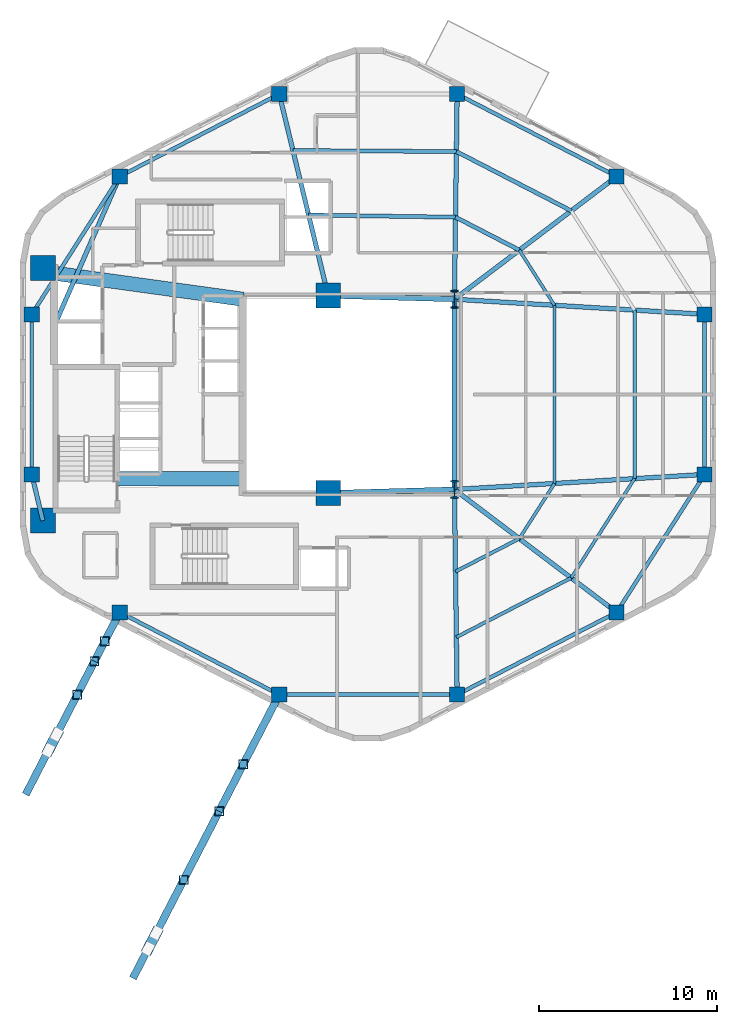
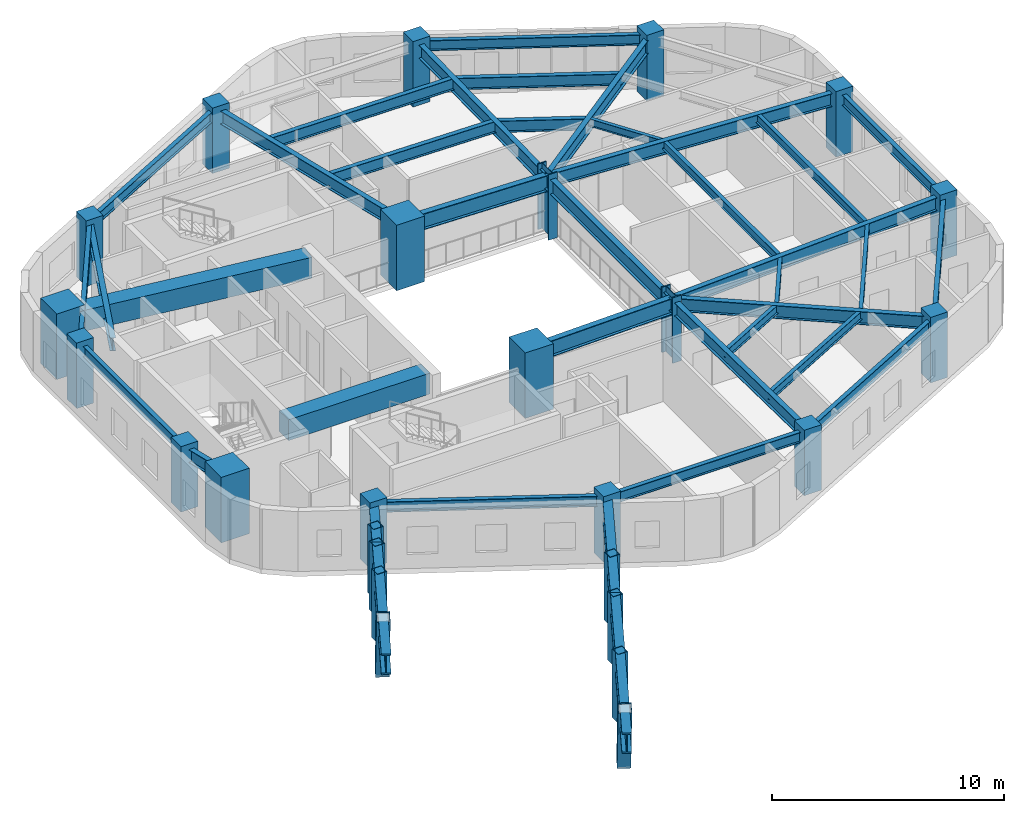
# One storey, part 1 of 11: 38 beams, 18 columns, 8 members.
"""IFC4 building model written with IfcOpenShell, lengths in metres."""

from ifc_helpers import new_model, si_unit, direction, frame, origin, origin_2d, place, context, subcontext, project, spatial, rectangle, hollow_rectangle, i_section, extrude, material, material_profile, profile_set, type_object, element, save


model = new_model("IFC4")

# Units and contexts
model_context = context("Model", 3, precision=1e-05, world=origin(), true_north=direction((0.0, 1.0)))
body_context = subcontext(model_context, "Body", "Model", "MODEL_VIEW")
ifc_project = project(units=[si_unit("LENGTHUNIT", "METRE"), si_unit("AREAUNIT", "SQUARE_METRE"), si_unit("VOLUMEUNIT", "CUBIC_METRE"), si_unit("PLANEANGLEUNIT", "RADIAN"), si_unit("MASSUNIT", "GRAM", prefix="KILO"), si_unit("THERMODYNAMICTEMPERATUREUNIT", "KELVIN"), si_unit("POWERUNIT", "WATT")], contexts=[model_context])

# Site, building, storey
site_placement = place(None, origin())
site = spatial("IfcSite", under=ifc_project, at=site_placement, CompositionType="ELEMENT")
building_placement = place(site_placement, origin())
building = spatial("IfcBuilding", under=site, at=building_placement, Name="Skarre Station Tower", CompositionType="ELEMENT")
storey_placement = place(building_placement, frame((0.0, 0.0, 170.550048828125)))
storey = spatial("IfcBuildingStorey", under=building, at=storey_placement, Name="L46", CompositionType="ELEMENT", Elevation=170.550048828125)

# Columns
ifc_material_1 = material(Name="Concrete C70/85", Category="concrete")
ifc_material_profile_1 = material_profile(ifc_material_1, rectangle(XDim=1.39990234375, YDim=1.39990234375, at=origin_2d()), Name="Concrete C70/85")
ifc_profile_set_1 = profile_set([ifc_material_profile_1], Name="Concrete C70/85")
column_type_1 = type_object("IfcColumnType", Name="RC Structural Column RC-COL-1400X1400", PredefinedType="COLUMN", material=ifc_profile_set_1)
for number, where, z_axis, x_axis, name in (
    (1, (16.300048828125, 16.89990234375, 0.0), (0.0, 0.0, 1.0), (1.0, 0.0, 0.0), "L46 Core Column CC-SW"),
    (2, (16.300048828125, 31.10009765625, 0.0), (0.0, 0.0, 1.0), (1.0, 0.0, 0.0), "L46 Core Column CC-NW"),
    (3, (32.35009765625, 18.449951171875, 0.0), (0.0, 0.0, 1.0), (1.0, 0.0, 0.0), "L46 Core Column CC-SE"),
    (4, (32.35009765625, 29.550048828125, 0.0), (0.0, 0.0, 1.0), (1.0, 0.0, 0.0), "L46 Core Column CC-NE"),
):
    element("IfcColumn", number, at=place(storey_placement, frame(where, z_axis=z_axis, x_axis=x_axis)), inside=storey, type_object=column_type_1, Name=name, PredefinedType="COLUMN", context=body_context, shape_type="SweptSolid", body=[
        extrude(rectangle(XDim=1.39990234375, YDim=1.39990234375, at=origin_2d()), origin(), (0.0, 0.0, 1.0), 3.449951171875),
    ])
ifc_material_2 = material(Name="Concrete C50/60", Category="concrete")
ifc_material_profile_2 = material_profile(ifc_material_2, rectangle(XDim=0.85009765625, YDim=0.85009765625, at=origin_2d()), Name="Concrete C50/60")
ifc_profile_set_2 = profile_set([ifc_material_profile_2], Name="Concrete C50/60")
column_type_2 = type_object("IfcColumnType", Name="RC Structural Column RC-COL-850X850", PredefinedType="COLUMN", material=ifc_profile_set_2)
for number, where, z_axis, x_axis, name in (
    (5, (48.573974609375, 36.257080078125, 0.0), (0.0, 0.0, 1.0), (1.0, 0.0, 0.0), "L46 Zone 3 Perimeter Column F0C1"),
    (6, (39.60205078125, 40.887939453125, 0.0), (0.0, 0.0, 1.0), (1.0, 0.0, 0.0), "L46 Zone 3 Perimeter Column F0C2"),
    (7, (29.597900390625, 40.887939453125, 0.0), (0.0, 0.0, 1.0), (1.0, 0.0, 0.0), "L46 Zone 3 Perimeter Column F1C1"),
    (8, (20.6259765625, 36.257080078125, 0.0), (0.0, 0.0, 1.0), (1.0, 0.0, 0.0), "L46 Zone 3 Perimeter Column F1C2"),
    (9, (15.677978515625, 28.5009765625, 0.0), (0.0, 0.0, 1.0), (1.0, 0.0, 0.0), "L46 Zone 3 Perimeter Column F2C1"),
    (10, (15.677978515625, 19.4990234375, 0.0), (0.0, 0.0, 1.0), (1.0, 0.0, 0.0), "L46 Zone 3 Perimeter Column F2C2"),
    (11, (20.6259765625, 11.742919921875, 0.0), (0.0, 0.0, 1.0), (1.0, 0.0, 0.0), "L46 Zone 3 Perimeter Column F3C1"),
    (12, (29.597900390625, 7.112060546875, 0.0), (0.0, 0.0, 1.0), (1.0, 0.0, 0.0), "L46 Zone 3 Perimeter Column F3C2"),
    (13, (39.60205078125, 7.112060546875, 0.0), (0.0, 0.0, 1.0), (1.0, 0.0, 0.0), "L46 Zone 3 Perimeter Column F4C1"),
    (14, (48.573974609375, 11.742919921875, 0.0), (0.0, 0.0, 1.0), (1.0, 0.0, 0.0), "L46 Zone 3 Perimeter Column F4C2"),
    (15, (53.52197265625, 19.4990234375, 0.0), (0.0, 0.0, 1.0), (1.0, 0.0, 0.0), "L46 Zone 3 Perimeter Column F5C1"),
    (16, (53.52197265625, 28.5009765625, 0.0), (0.0, 0.0, 1.0), (1.0, 0.0, 0.0), "L46 Zone 3 Perimeter Column F5C2"),
):
    element("IfcColumn", number, at=place(storey_placement, frame(where, z_axis=z_axis, x_axis=x_axis)), inside=storey, type_object=column_type_2, Name=name, PredefinedType="COLUMN", context=body_context, shape_type="SweptSolid", body=[
        extrude(rectangle(XDim=0.85009765625, YDim=0.85009765625, at=origin_2d()), origin(), (0.0, 0.0, 1.0), 3.449951171875),
    ])
ifc_material_3 = material(Name="Steel ASTM A913 Grade 65", Category="steel")
ifc_material_profile_3 = material_profile(ifc_material_3, i_section(OverallWidth=0.430908203125, OverallDepth=0.987060546875, WebThickness=0.033935546875, FlangeThickness=0.06201171875, at=origin_2d()), Name="Steel ASTM A913 Grade 65")
ifc_profile_set_3 = profile_set([ifc_material_profile_3], Name="Steel ASTM A913 Grade 65")
column_type_3 = type_object("IfcColumnType", Name="Steel Column W36X441", PredefinedType="COLUMN", material=ifc_profile_set_3)
for number, where, z_axis, x_axis, name in (
    (17, (39.449951171875, 18.64990234375, 0.0), (0.0, 0.0, 1.0), (1.0, 0.0, 0.0), "L46 Atrium Spine Column AC-SE"),
    (18, (39.449951171875, 29.35009765625, 0.0), (0.0, 0.0, 1.0), (1.0, 0.0, 0.0), "L46 Atrium Spine Column AC-NE"),
):
    element("IfcColumn", number, at=place(storey_placement, frame(where, z_axis=z_axis, x_axis=x_axis)), inside=storey, type_object=column_type_3, Name=name, PredefinedType="COLUMN", context=body_context, shape_type="SweptSolid", body=[
        extrude(i_section(OverallWidth=0.430908203125, OverallDepth=0.987060546875, WebThickness=0.033935546875, FlangeThickness=0.06201171875, at=origin_2d()), origin(), (0.0, 0.0, 1.0), 3.449951171875),
    ])

# Beams
ifc_material_profile_4 = material_profile(ifc_material_1, rectangle(XDim=0.800048828125, YDim=1.10009765625, at=origin_2d()), Name="Concrete C70/85")
ifc_profile_set_4 = profile_set([ifc_material_profile_4], Name="Concrete C70/85")
beam_type_1 = type_object("IfcBeamType", Name="RC Core Coupling Lintel 800x1100", PredefinedType="LINTEL", material=ifc_profile_set_4)
beam_1_placement = place(storey_placement, frame((20.489990234375, 19.260009765625, 2.60986328125), z_axis=(1.0, 0.0, 0.0), x_axis=(0.0, 1.0, 0.0)))
element("IfcBeam", 19, at=beam_1_placement, inside=storey, type_object=beam_type_1, Name="L46 South Core Coupling Lintel", PredefinedType="LINTEL", context=body_context, shape_type="SweptSolid", body=[
    extrude(rectangle(XDim=0.800048828125, YDim=1.10009765625, at=origin_2d()), origin(), (0.0, 0.0, 1.0), 7.06005859375),
])
beam_2_placement = place(storey_placement, frame((17.050048828125, 30.800048828125, 2.60986328125), z_axis=(0.990599723633, -0.136792498109, 0.0), x_axis=(0.136792498109, 0.990599723633, 0.0)))
element("IfcBeam", 20, at=beam_2_placement, inside=storey, type_object=beam_type_1, Name="L46 North Core Coupling Lintel", PredefinedType="LINTEL", context=body_context, shape_type="SweptSolid", body=[
    extrude(rectangle(XDim=0.800048828125, YDim=1.10009765625, at=origin_2d()), origin(), (0.0, 0.0, 1.0), 10.599609375),
])
ifc_material_4 = material(Name="Steel ASTM A992 Grade 50", Category="steel")
ifc_material_profile_5 = material_profile(ifc_material_4, i_section(OverallWidth=0.256103515625, OverallDepth=0.693115234375, WebThickness=0.013916015625, FlangeThickness=0.02392578125, at=origin_2d()), Name="Steel ASTM A992 Grade 50")
ifc_profile_set_5 = profile_set([ifc_material_profile_5], Name="Steel ASTM A992 Grade 50")
beam_type_2 = type_object("IfcBeamType", Name="Steel Beam W27X114", PredefinedType="BEAM", material=ifc_profile_set_5)
beam_3_placement = place(storey_placement, frame((39.449951171875, 29.35009765625, 2.81396484375), z_axis=(0.797308988117, 0.603571352425, 0.0), x_axis=(-0.603571352425, 0.797308988117, 0.0)))
element("IfcBeam", 21, at=beam_3_placement, inside=storey, type_object=beam_type_2, Name="L46 Radial Floor Girder F0C1", PredefinedType="BEAM", context=body_context, shape_type="SweptSolid", body=[
    extrude(i_section(OverallWidth=0.256103515625, OverallDepth=0.693115234375, WebThickness=0.013916015625, FlangeThickness=0.02392578125, at=origin_2d()), origin(), (0.0, 0.0, 1.0), 11.443603515625),
])
beam_4_placement = place(storey_placement, frame((39.449951171875, 29.35009765625, 2.81396484375), z_axis=(0.013181528887, 0.999913119874, 0.0), x_axis=(-0.999913119874, 0.013181528887, 0.0)))
element("IfcBeam", 22, at=beam_4_placement, inside=storey, type_object=beam_type_2, Name="L46 Radial Floor Girder F0C2", PredefinedType="BEAM", context=body_context, shape_type="SweptSolid", body=[
    extrude(i_section(OverallWidth=0.256103515625, OverallDepth=0.693115234375, WebThickness=0.013916015625, FlangeThickness=0.02392578125, at=origin_2d()), origin(), (0.0, 0.0, 1.0), 11.538818359375),
])
beam_5_placement = place(storey_placement, frame((32.35009765625, 29.550048828125, 2.81396484375), z_axis=(-0.235892880832, 0.971779063765, 0.0), x_axis=(-0.971779063765, -0.235892880832, 0.0)))
element("IfcBeam", 23, at=beam_5_placement, inside=storey, type_object=beam_type_2, Name="L46 Radial Floor Girder F1C1", PredefinedType="BEAM", context=body_context, shape_type="SweptSolid", body=[
    extrude(i_section(OverallWidth=0.256103515625, OverallDepth=0.693115234375, WebThickness=0.013916015625, FlangeThickness=0.02392578125, at=origin_2d()), origin(), (0.0, 0.0, 1.0), 11.667236328125),
])
beam_6_placement = place(storey_placement, frame((17.010009765625, 28.0, 2.81396484375), z_axis=(0.401144174417, 0.916014929644, 0.0), x_axis=(-0.916014929644, 0.401144174417, 0.0)))
element("IfcBeam", 24, at=beam_6_placement, inside=storey, type_object=beam_type_2, Name="L46 Radial Floor Girder F1C2", PredefinedType="BEAM", context=body_context, shape_type="SweptSolid", body=[
    extrude(i_section(OverallWidth=0.256103515625, OverallDepth=0.693115234375, WebThickness=0.013916015625, FlangeThickness=0.02392578125, at=origin_2d()), origin(), (0.0, 0.0, 1.0), 9.01416015625),
])
beam_7_placement = place(storey_placement, frame((16.300048828125, 16.89990234375, 2.81396484375), z_axis=(-0.232764815072, 0.972533053867, 0.0), x_axis=(-0.972533053867, -0.232764815072, 0.0)))
element("IfcBeam", 25, at=beam_7_placement, inside=storey, type_object=beam_type_2, Name="L46 Radial Floor Girder F2C2", PredefinedType="BEAM", context=body_context, shape_type="SweptSolid", body=[
    extrude(i_section(OverallWidth=0.256103515625, OverallDepth=0.693115234375, WebThickness=0.013916015625, FlangeThickness=0.02392578125, at=origin_2d()), origin(), (0.0, 0.0, 1.0), 2.672607421875),
])
beam_8_placement = place(storey_placement, frame((39.449951171875, 18.64990234375, 2.81396484375), z_axis=(0.013181528887, -0.999913119874, 0.0), x_axis=(0.999913119874, 0.013181528887, 0.0)))
element("IfcBeam", 26, at=beam_8_placement, inside=storey, type_object=beam_type_2, Name="L46 Radial Floor Girder F4C1", PredefinedType="BEAM", context=body_context, shape_type="SweptSolid", body=[
    extrude(i_section(OverallWidth=0.256103515625, OverallDepth=0.693115234375, WebThickness=0.013916015625, FlangeThickness=0.02392578125, at=origin_2d()), origin(), (0.0, 0.0, 1.0), 11.538818359375),
])
beam_9_placement = place(storey_placement, frame((39.449951171875, 18.64990234375, 2.81396484375), z_axis=(0.797308988117, -0.603571352425, 0.0), x_axis=(0.603571352425, 0.797308988117, 0.0)))
element("IfcBeam", 27, at=beam_9_placement, inside=storey, type_object=beam_type_2, Name="L46 Radial Floor Girder F4C2", PredefinedType="BEAM", context=body_context, shape_type="SweptSolid", body=[
    extrude(i_section(OverallWidth=0.256103515625, OverallDepth=0.693115234375, WebThickness=0.013916015625, FlangeThickness=0.02392578125, at=origin_2d()), origin(), (0.0, 0.0, 1.0), 11.443603515625),
])
for number, where, z_axis, x_axis, name in (
    (28, (39.449951171875, 18.64990234375, 2.81396484375), (0.998184432941, 0.060231535207, 0.0), (-0.060231535207, 0.998184432941, 0.0), "L46 Radial Floor Girder F5C1"),
    (29, (39.449951171875, 29.35009765625, 2.81396484375), (0.998184432941, -0.060231535207, 0.0), (0.060231535207, 0.998184432941, 0.0), "L46 Radial Floor Girder F5C2"),
):
    element("IfcBeam", number, at=place(storey_placement, frame(where, z_axis=z_axis, x_axis=x_axis)), inside=storey, type_object=beam_type_2, Name=name, PredefinedType="BEAM", context=body_context, shape_type="SweptSolid", body=[
        extrude(i_section(OverallWidth=0.256103515625, OverallDepth=0.693115234375, WebThickness=0.013916015625, FlangeThickness=0.02392578125, at=origin_2d()), origin(), (0.0, 0.0, 1.0), 14.09765625),
    ])
ifc_material_profile_6 = material_profile(ifc_material_4, i_section(OverallWidth=0.26806640625, OverallDepth=0.77001953125, WebThickness=0.01611328125, FlangeThickness=0.02490234375, at=origin_2d()), Name="Steel ASTM A992 Grade 50")
ifc_profile_set_6 = profile_set([ifc_material_profile_6], Name="Steel ASTM A992 Grade 50")
beam_type_3 = type_object("IfcBeamType", Name="Steel Beam W30X132", PredefinedType="BEAM", material=ifc_profile_set_6)
beam_10_placement = place(storey_placement, frame((39.449951171875, 18.64990234375, 2.77490234375), z_axis=(0.0, 1.0, 0.0), x_axis=(-1.0, 0.0, 0.0)))
element("IfcBeam", 30, at=beam_10_placement, inside=storey, type_object=beam_type_3, Name="L46 Atrium East Edge Girder", PredefinedType="BEAM", context=body_context, shape_type="SweptSolid", body=[
    extrude(i_section(OverallWidth=0.26806640625, OverallDepth=0.77001953125, WebThickness=0.01611328125, FlangeThickness=0.02490234375, at=origin_2d()), origin(), (0.0, 0.0, 1.0), 10.7001953125),
])
ifc_material_profile_7 = material_profile(ifc_material_4, i_section(OverallWidth=0.2919921875, OverallDepth=0.85888671875, WebThickness=0.01708984375, FlangeThickness=0.031005859375, at=origin_2d()), Name="Steel ASTM A992 Grade 50")
ifc_profile_set_7 = profile_set([ifc_material_profile_7], Name="Steel ASTM A992 Grade 50")
beam_type_4 = type_object("IfcBeamType", Name="Steel Beam W33X169", PredefinedType="BEAM", material=ifc_profile_set_7)
for number, where, z_axis, x_axis, name in (
    (31, (32.35009765625, 18.449951171875, 2.73095703125), (0.999603666405, 0.028151556095, 0.0), (-0.028151556095, 0.999603666405, 0.0), "L46 Atrium South Edge Girder"),
    (32, (32.35009765625, 29.550048828125, 2.73095703125), (0.999603666405, -0.028151556095, 0.0), (0.028151556095, 0.999603666405, 0.0), "L46 Atrium North Edge Girder"),
):
    element("IfcBeam", number, at=place(storey_placement, frame(where, z_axis=z_axis, x_axis=x_axis)), inside=storey, type_object=beam_type_4, Name=name, PredefinedType="BEAM", context=body_context, shape_type="SweptSolid", body=[
        extrude(i_section(OverallWidth=0.2919921875, OverallDepth=0.85888671875, WebThickness=0.01708984375, FlangeThickness=0.031005859375, at=origin_2d()), origin(), (0.0, 0.0, 1.0), 7.102783203125),
    ])
ifc_material_profile_8 = material_profile(ifc_material_4, i_section(OverallWidth=0.177978515625, OverallDepth=0.403076171875, WebThickness=0.008056640625, FlangeThickness=0.010986328125, at=origin_2d()), Name="Steel ASTM A992 Grade 50")
ifc_profile_set_8 = profile_set([ifc_material_profile_8], Name="Steel ASTM A992 Grade 50")
beam_type_5 = type_object("IfcBeamType", Name="Steel Joist W16X36", PredefinedType="JOIST", material=ifc_profile_set_8)
beam_11_placement = place(storey_placement, frame((43.10009765625, 15.886962890625, 2.9580078125), z_axis=(0.537716516977, 0.843125700812, 0.0), x_axis=(-0.843125700812, 0.537716516977, 0.0)))
element("IfcBeam", 33, at=beam_11_placement, inside=storey, type_object=beam_type_5, Name="L46 Auxiliary Composite Joist 9", PredefinedType="JOIST", context=body_context, shape_type="SweptSolid", body=[
    extrude(i_section(OverallWidth=0.177978515625, OverallDepth=0.403076171875, WebThickness=0.008056640625, FlangeThickness=0.010986328125, at=origin_2d()), origin(), (0.0, 0.0, 1.0), 3.680419921875),
])
beam_12_placement = place(storey_placement, frame((46.01904296875, 13.677001953125, 2.9580078125), z_axis=(0.537900605588, 0.843008267165, 0.0), x_axis=(-0.843008267165, 0.537900605588, 0.0)))
element("IfcBeam", 34, at=beam_12_placement, inside=storey, type_object=beam_type_5, Name="L46 Auxiliary Composite Joist 10", PredefinedType="JOIST", context=body_context, shape_type="SweptSolid", body=[
    extrude(i_section(OverallWidth=0.177978515625, OverallDepth=0.403076171875, WebThickness=0.008056640625, FlangeThickness=0.010986328125, at=origin_2d()), origin(), (0.0, 0.0, 1.0), 6.623779296875),
])
beam_13_placement = place(storey_placement, frame((45.0791015625, 29.010009765625, 2.9580078125), z_axis=(-0.537716516977, 0.843125700812, 0.0), x_axis=(-0.843125700812, -0.537716516977, 0.0)))
element("IfcBeam", 35, at=beam_13_placement, inside=storey, type_object=beam_type_5, Name="L46 Auxiliary Composite Joist 13", PredefinedType="JOIST", context=body_context, shape_type="SweptSolid", body=[
    extrude(i_section(OverallWidth=0.177978515625, OverallDepth=0.403076171875, WebThickness=0.008056640625, FlangeThickness=0.010986328125, at=origin_2d()), origin(), (0.0, 0.0, 1.0), 3.680419921875),
])
ifc_material_profile_9 = material_profile(ifc_material_4, i_section(OverallWidth=0.19091796875, OverallDepth=0.45703125, WebThickness=0.009033203125, FlangeThickness=0.013916015625, at=origin_2d()), Name="Steel ASTM A992 Grade 50")
ifc_profile_set_9 = profile_set([ifc_material_profile_9], Name="Steel ASTM A992 Grade 50")
beam_type_6 = type_object("IfcBeamType", Name="Steel Joist W18X50", PredefinedType="JOIST", material=ifc_profile_set_9)
beam_14_placement = place(storey_placement, frame((39.510986328125, 14.034912109375, 2.931884765625), z_axis=(0.888660390105, 0.458565928803, 0.0), x_axis=(-0.458565928803, 0.888660390105, 0.0)))
element("IfcBeam", 36, at=beam_14_placement, inside=storey, type_object=beam_type_6, Name="L46 Auxiliary Composite Joist 7", PredefinedType="JOIST", context=body_context, shape_type="SweptSolid", body=[
    extrude(i_section(OverallWidth=0.19091796875, OverallDepth=0.45703125, WebThickness=0.009033203125, FlangeThickness=0.013916015625, at=origin_2d()), origin(), (0.0, 0.0, 1.0), 4.038818359375),
])
beam_15_placement = place(storey_placement, frame((39.55908203125, 10.343017578125, 2.931884765625), z_axis=(0.88863125356, 0.458622388459, 0.0), x_axis=(-0.458622388459, 0.88863125356, 0.0)))
element("IfcBeam", 37, at=beam_15_placement, inside=storey, type_object=beam_type_6, Name="L46 Auxiliary Composite Joist 8", PredefinedType="JOIST", context=body_context, shape_type="SweptSolid", body=[
    extrude(i_section(OverallWidth=0.19091796875, OverallDepth=0.45703125, WebThickness=0.009033203125, FlangeThickness=0.013916015625, at=origin_2d()), origin(), (0.0, 0.0, 1.0), 7.26953125),
])
beam_16_placement = place(storey_placement, frame((45.0791015625, 18.989990234375, 2.931884765625), z_axis=(0.0, 1.0, 0.0), x_axis=(-1.0, 0.0, 0.0)))
element("IfcBeam", 38, at=beam_16_placement, inside=storey, type_object=beam_type_6, Name="L46 Auxiliary Composite Joist 11", PredefinedType="JOIST", context=body_context, shape_type="SweptSolid", body=[
    extrude(i_section(OverallWidth=0.19091796875, OverallDepth=0.45703125, WebThickness=0.009033203125, FlangeThickness=0.013916015625, at=origin_2d()), origin(), (0.0, 0.0, 1.0), 10.02001953125),
])
beam_17_placement = place(storey_placement, frame((49.58203125, 19.260986328125, 2.931884765625), z_axis=(0.0, 1.0, 0.0), x_axis=(-1.0, 0.0, 0.0)))
element("IfcBeam", 39, at=beam_17_placement, inside=storey, type_object=beam_type_6, Name="L46 Auxiliary Composite Joist 12", PredefinedType="JOIST", context=body_context, shape_type="SweptSolid", body=[
    extrude(i_section(OverallWidth=0.19091796875, OverallDepth=0.45703125, WebThickness=0.009033203125, FlangeThickness=0.013916015625, at=origin_2d()), origin(), (0.0, 0.0, 1.0), 9.47802734375),
])
ifc_material_profile_10 = material_profile(ifc_material_4, i_section(OverallWidth=0.22802734375, OverallDepth=0.60791015625, WebThickness=0.010986328125, FlangeThickness=0.01708984375, at=origin_2d()), Name="Steel ASTM A992 Grade 50")
ifc_profile_set_10 = profile_set([ifc_material_profile_10], Name="Steel ASTM A992 Grade 50")
beam_type_7 = type_object("IfcBeamType", Name="Steel Joist W24X76", PredefinedType="JOIST", material=ifc_profile_set_10)
beam_18_placement = place(storey_placement, frame((43.10009765625, 32.113037109375, 2.85595703125), z_axis=(-0.888660390105, 0.458565928803, 0.0), x_axis=(-0.458565928803, -0.888660390105, 0.0)))
element("IfcBeam", 40, at=beam_18_placement, inside=storey, type_object=beam_type_7, Name="L46 Secondary Floor Joist 1", PredefinedType="JOIST", context=body_context, shape_type="SweptSolid", body=[
    extrude(i_section(OverallWidth=0.22802734375, OverallDepth=0.60791015625, WebThickness=0.010986328125, FlangeThickness=0.01708984375, at=origin_2d()), origin(), (0.0, 0.0, 1.0), 4.038818359375),
])
beam_19_placement = place(storey_placement, frame((46.01904296875, 34.322998046875, 2.85595703125), z_axis=(-0.88863125356, 0.458622388459, 0.0), x_axis=(-0.458622388459, -0.88863125356, 0.0)))
element("IfcBeam", 41, at=beam_19_placement, inside=storey, type_object=beam_type_7, Name="L46 Secondary Floor Joist 2", PredefinedType="JOIST", context=body_context, shape_type="SweptSolid", body=[
    extrude(i_section(OverallWidth=0.22802734375, OverallDepth=0.60791015625, WebThickness=0.010986328125, FlangeThickness=0.01708984375, at=origin_2d()), origin(), (0.0, 0.0, 1.0), 7.26953125),
])
beam_20_placement = place(storey_placement, frame((39.510986328125, 33.965087890625, 2.85595703125), z_axis=(-0.999894760676, 0.014507500591, 0.0), x_axis=(-0.014507500591, -0.999894760676, 0.0)))
element("IfcBeam", 42, at=beam_20_placement, inside=storey, type_object=beam_type_7, Name="L46 Secondary Floor Joist 3", PredefinedType="JOIST", context=body_context, shape_type="SweptSolid", body=[
    extrude(i_section(OverallWidth=0.22802734375, OverallDepth=0.60791015625, WebThickness=0.010986328125, FlangeThickness=0.01708984375, at=origin_2d()), origin(), (0.0, 0.0, 1.0), 8.262939453125),
])
beam_21_placement = place(storey_placement, frame((39.55908203125, 37.656982421875, 2.85595703125), z_axis=(-0.99998149622, 0.006083355807, 0.0), x_axis=(-0.006083355807, -0.99998149622, 0.0)))
element("IfcBeam", 43, at=beam_21_placement, inside=storey, type_object=beam_type_7, Name="L46 Secondary Floor Joist 4", PredefinedType="JOIST", context=body_context, shape_type="SweptSolid", body=[
    extrude(i_section(OverallWidth=0.22802734375, OverallDepth=0.60791015625, WebThickness=0.010986328125, FlangeThickness=0.01708984375, at=origin_2d()), origin(), (0.0, 0.0, 1.0), 9.1904296875),
])
ifc_material_profile_11 = material_profile(ifc_material_4, i_section(OverallWidth=0.214111328125, OverallDepth=0.549072265625, WebThickness=0.014892578125, FlangeThickness=0.02392578125, at=origin_2d()), Name="Steel ASTM A992 Grade 50")
ifc_profile_set_11 = profile_set([ifc_material_profile_11], Name="Steel ASTM A992 Grade 50")
beam_type_8 = type_object("IfcBeamType", Name="Steel Spandrel W21X93", PredefinedType="SPANDREL", material=ifc_profile_set_11)
for number, where, z_axis, x_axis, name in (
    (44, (48.573974609375, 36.257080078125, 2.885986328125), (-0.888613027226, 0.458657702262, 0.0), (-0.458657702262, -0.888613027226, 0.0), "L46 Facet Spandrel Beam 1"),
    (45, (29.597900390625, 40.887939453125, 2.885986328125), (-0.888613027226, -0.458657702262, 0.0), (0.458657702262, -0.888613027226, 0.0), "L46 Facet Spandrel Beam 3"),
):
    element("IfcBeam", number, at=place(storey_placement, frame(where, z_axis=z_axis, x_axis=x_axis)), inside=storey, type_object=beam_type_8, Name=name, PredefinedType="SPANDREL", context=body_context, shape_type="SweptSolid", body=[
        extrude(i_section(OverallWidth=0.214111328125, OverallDepth=0.549072265625, WebThickness=0.014892578125, FlangeThickness=0.02392578125, at=origin_2d()), origin(), (0.0, 0.0, 1.0), 10.096435546875),
    ])
beam_22_placement = place(storey_placement, frame((20.6259765625, 36.257080078125, 2.885986328125), z_axis=(-0.537826426158, -0.843055594445, 0.0), x_axis=(0.843055594445, -0.537826426158, 0.0)))
element("IfcBeam", 46, at=beam_22_placement, inside=storey, type_object=beam_type_8, Name="L46 Facet Spandrel Beam 4", PredefinedType="SPANDREL", context=body_context, shape_type="SweptSolid", body=[
    extrude(i_section(OverallWidth=0.214111328125, OverallDepth=0.549072265625, WebThickness=0.014892578125, FlangeThickness=0.02392578125, at=origin_2d()), origin(), (0.0, 0.0, 1.0), 9.199951171875),
])
beam_23_placement = place(storey_placement, frame((15.677978515625, 28.5009765625, 2.885986328125), z_axis=(0.0, -1.0, 0.0), x_axis=(1.0, 0.0, 0.0)))
element("IfcBeam", 47, at=beam_23_placement, inside=storey, type_object=beam_type_8, Name="L46 Facet Spandrel Beam 5", PredefinedType="SPANDREL", context=body_context, shape_type="SweptSolid", body=[
    extrude(i_section(OverallWidth=0.214111328125, OverallDepth=0.549072265625, WebThickness=0.014892578125, FlangeThickness=0.02392578125, at=origin_2d()), origin(), (0.0, 0.0, 1.0), 9.001953125),
])
beam_24_placement = place(storey_placement, frame((20.6259765625, 11.742919921875, 2.885986328125), z_axis=(0.888613027226, -0.458657702262, 0.0), x_axis=(0.458657702262, 0.888613027226, 0.0)))
element("IfcBeam", 48, at=beam_24_placement, inside=storey, type_object=beam_type_8, Name="L46 Facet Spandrel Beam 7", PredefinedType="SPANDREL", context=body_context, shape_type="SweptSolid", body=[
    extrude(i_section(OverallWidth=0.214111328125, OverallDepth=0.549072265625, WebThickness=0.014892578125, FlangeThickness=0.02392578125, at=origin_2d()), origin(), (0.0, 0.0, 1.0), 10.096435546875),
])
beam_25_placement = place(storey_placement, frame((29.597900390625, 7.112060546875, 2.885986328125), z_axis=(1.0, 0.0, 0.0), x_axis=(0.0, 1.0, 0.0)))
element("IfcBeam", 49, at=beam_25_placement, inside=storey, type_object=beam_type_8, Name="L46 Facet Spandrel Beam 8", PredefinedType="SPANDREL", context=body_context, shape_type="SweptSolid", body=[
    extrude(i_section(OverallWidth=0.214111328125, OverallDepth=0.549072265625, WebThickness=0.014892578125, FlangeThickness=0.02392578125, at=origin_2d()), origin(), (0.0, 0.0, 1.0), 10.004150390625),
])
beam_26_placement = place(storey_placement, frame((39.60205078125, 7.112060546875, 2.885986328125), z_axis=(0.888613027226, 0.458657702262, 0.0), x_axis=(-0.458657702262, 0.888613027226, 0.0)))
element("IfcBeam", 50, at=beam_26_placement, inside=storey, type_object=beam_type_8, Name="L46 Facet Spandrel Beam 9", PredefinedType="SPANDREL", context=body_context, shape_type="SweptSolid", body=[
    extrude(i_section(OverallWidth=0.214111328125, OverallDepth=0.549072265625, WebThickness=0.014892578125, FlangeThickness=0.02392578125, at=origin_2d()), origin(), (0.0, 0.0, 1.0), 10.096435546875),
])
beam_27_placement = place(storey_placement, frame((48.573974609375, 11.742919921875, 2.885986328125), z_axis=(0.537826426158, 0.843055594445, 0.0), x_axis=(-0.843055594445, 0.537826426158, 0.0)))
element("IfcBeam", 51, at=beam_27_placement, inside=storey, type_object=beam_type_8, Name="L46 Facet Spandrel Beam 10", PredefinedType="SPANDREL", context=body_context, shape_type="SweptSolid", body=[
    extrude(i_section(OverallWidth=0.214111328125, OverallDepth=0.549072265625, WebThickness=0.014892578125, FlangeThickness=0.02392578125, at=origin_2d()), origin(), (0.0, 0.0, 1.0), 9.199951171875),
])
beam_28_placement = place(storey_placement, frame((53.52197265625, 19.4990234375, 2.885986328125), z_axis=(0.0, 1.0, 0.0), x_axis=(-1.0, 0.0, 0.0)))
element("IfcBeam", 52, at=beam_28_placement, inside=storey, type_object=beam_type_8, Name="L46 Facet Spandrel Beam 11", PredefinedType="SPANDREL", context=body_context, shape_type="SweptSolid", body=[
    extrude(i_section(OverallWidth=0.214111328125, OverallDepth=0.549072265625, WebThickness=0.014892578125, FlangeThickness=0.02392578125, at=origin_2d()), origin(), (0.0, 0.0, 1.0), 9.001953125),
])
ifc_material_profile_12 = material_profile(ifc_material_3, i_section(OverallWidth=0.424072265625, OverallDepth=1.092041015625, WebThickness=0.044921875, FlangeThickness=0.08203125, at=origin_2d()), Name="Steel ASTM A913 Grade 65")
ifc_profile_set_12 = profile_set([ifc_material_profile_12], Name="Steel ASTM A913 Grade 65")
beam_type_9 = type_object("IfcBeamType", Name="Steel Transfer Girder W40X593", PredefinedType="USERDEFINED", material=ifc_profile_set_12)
beam_29_placement = place(storey_placement, frame((20.6259765625, 11.742919921875, 2.614013671875), z_axis=(-0.45864291977, -0.888620657055, 0.0), x_axis=(0.888620657055, -0.45864291977, 0.0)))
element("IfcBeam", 53, at=beam_29_placement, inside=storey, type_object=beam_type_9, Name="L46 SB-4 Inner Sky-Bar Transfer Girder S1", ObjectType="TRANSFER_GIRDER", PredefinedType="USERDEFINED", context=body_context, shape_type="SweptSolid", body=[
    extrude(i_section(OverallWidth=0.424072265625, OverallDepth=1.092041015625, WebThickness=0.044921875, FlangeThickness=0.08203125, at=origin_2d()), origin(), (0.0, 0.0, 1.0), 3.10009765625),
])
beam_30_placement = place(storey_placement, frame((19.2041015625, 8.988037109375, 2.614013671875), z_axis=(-0.4586340671, -0.888625226119, 0.0), x_axis=(0.888625226119, -0.4586340671, 0.0)))
element("IfcBeam", 54, at=beam_30_placement, inside=storey, type_object=beam_type_9, Name="L46 SB-4 Outer Sky-Bar Transfer Girder S1", ObjectType="TRANSFER_GIRDER", PredefinedType="USERDEFINED", context=body_context, shape_type="SweptSolid", body=[
    extrude(i_section(OverallWidth=0.424072265625, OverallDepth=1.092041015625, WebThickness=0.044921875, FlangeThickness=0.08203125, at=origin_2d()), origin(), (0.0, 0.0, 1.0), 8.429931640625),
])
beam_31_placement = place(storey_placement, frame((29.597900390625, 7.112060546875, 2.614013671875), z_axis=(-0.45866230048, -0.88861065384, 0.0), x_axis=(0.88861065384, -0.45866230048, 0.0)))
element("IfcBeam", 55, at=beam_31_placement, inside=storey, type_object=beam_type_9, Name="L46 SB-4 Inner Sky-Bar Transfer Girder S2", ObjectType="TRANSFER_GIRDER", PredefinedType="USERDEFINED", context=body_context, shape_type="SweptSolid", body=[
    extrude(i_section(OverallWidth=0.424072265625, OverallDepth=1.092041015625, WebThickness=0.044921875, FlangeThickness=0.08203125, at=origin_2d()), origin(), (0.0, 0.0, 1.0), 7.380126953125),
])
beam_32_placement = place(storey_placement, frame((26.212890625, 0.553955078125, 2.614013671875), z_axis=(-0.458632918092, -0.88862581914, 0.0), x_axis=(0.88862581914, -0.458632918092, 0.0)))
element("IfcBeam", 56, at=beam_32_placement, inside=storey, type_object=beam_type_9, Name="L46 SB-4 Outer Sky-Bar Transfer Girder S2", ObjectType="TRANSFER_GIRDER", PredefinedType="USERDEFINED", context=body_context, shape_type="SweptSolid", body=[
    extrude(i_section(OverallWidth=0.424072265625, OverallDepth=1.092041015625, WebThickness=0.044921875, FlangeThickness=0.08203125, at=origin_2d()), origin(), (0.0, 0.0, 1.0), 10.5703125),
])

# Members
ifc_material_5 = material(Name="Steel ASTM A501 Grade B", Category="steel")
ifc_material_profile_13 = material_profile(ifc_material_5, hollow_rectangle(XDim=0.5, YDim=0.5, WallThickness=0.02490234375, at=origin_2d()), Name="Steel ASTM A501 Grade B")
ifc_profile_set_13 = profile_set([ifc_material_profile_13], Name="Steel ASTM A501 Grade B")
member_type_1 = type_object("IfcMemberType", Name="Steel Truss Strut HSS500X500X25", PredefinedType="STRUT", material=ifc_profile_set_13)
for number, where, z_axis, x_axis, name in (
    (57, (19.787109375, 10.116943359375, -0.43994140625), (0.0, 0.0, 1.0), (1.0, 0.0, 0.0), "L46 SB-4 Exoskeleton Post Tier 4-1 S1"),
    (58, (19.2041015625, 8.988037109375, -0.43994140625), (0.0, 0.0, 1.0), (1.0, 0.0, 0.0), "L46 SB-4 Exoskeleton Post Tier 4-2 S1"),
    (59, (18.236083984375, 7.113037109375, -0.43994140625), (0.0, 0.0, 1.0), (1.0, 0.0, 0.0), "L46 SB-4 Exoskeleton Post Tier 4-3 S1"),
    (60, (27.580078125, 3.201904296875, -0.43994140625), (0.0, 0.0, 1.0), (1.0, 0.0, 0.0), "L46 SB-4 Exoskeleton Post Tier 4-1 S2"),
    (61, (26.212890625, 0.553955078125, -0.43994140625), (0.0, 0.0, 1.0), (1.0, 0.0, 0.0), "L46 SB-4 Exoskeleton Post Tier 4-2 S2"),
    (62, (24.218017578125, -3.31201171875, -0.43994140625), (0.0, 0.0, 1.0), (1.0, 0.0, 0.0), "L46 SB-4 Exoskeleton Post Tier 4-3 S2"),
):
    element("IfcMember", number, at=place(storey_placement, frame(where, z_axis=z_axis, x_axis=x_axis)), inside=storey, type_object=member_type_1, Name=name, PredefinedType="STRUT", context=body_context, shape_type="SweptSolid", body=[
        extrude(hollow_rectangle(XDim=0.5, YDim=0.5, WallThickness=0.02490234375, at=origin_2d()), origin(), (0.0, 0.0, 1.0), 3.599853515625),
    ])
ifc_material_profile_14 = material_profile(ifc_material_5, hollow_rectangle(XDim=0.60009765625, YDim=0.60009765625, WallThickness=0.028076171875, at=origin_2d()), Name="Steel ASTM A501 Grade B")
ifc_profile_set_14 = profile_set([ifc_material_profile_14], Name="Steel ASTM A501 Grade B")
member_type_2 = type_object("IfcMemberType", Name="Steel Truss Strut HSS600X600X28", PredefinedType="STRUT", material=ifc_profile_set_14)
member_1_placement = place(storey_placement, frame((17.0810546875, 4.8740234375, -0.43994140625), z_axis=(-0.122845303363, -0.237914760396, 0.963486169194), x_axis=(0.888543643112, -0.458792103557, 0.0)))
element("IfcMember", 63, at=member_1_placement, inside=storey, type_object=member_type_2, Name="L46 SB-4 Exoskeleton Raking Strut Tier 4 S1", PredefinedType="STRUT", context=body_context, shape_type="SweptSolid", body=[
    extrude(hollow_rectangle(XDim=0.60009765625, YDim=0.60009765625, WallThickness=0.028076171875, at=origin_2d()), origin(), (0.0, 0.0, 1.0), 3.736328125),
])
member_2_placement = place(storey_placement, frame((22.681884765625, -6.2890625, -0.43994140625), z_axis=(-0.122852938951, -0.237668159024, 0.963546055763), x_axis=(0.888337904777, -0.459190338461, 0.0)))
element("IfcMember", 64, at=member_2_placement, inside=storey, type_object=member_type_2, Name="L46 SB-4 Exoskeleton Raking Strut Tier 4 S2", PredefinedType="STRUT", context=body_context, shape_type="SweptSolid", body=[
    extrude(hollow_rectangle(XDim=0.60009765625, YDim=0.60009765625, WallThickness=0.028076171875, at=origin_2d()), origin(), (0.0, 0.0, 1.0), 3.736083984375),
])

save(model, "model.ifc")
